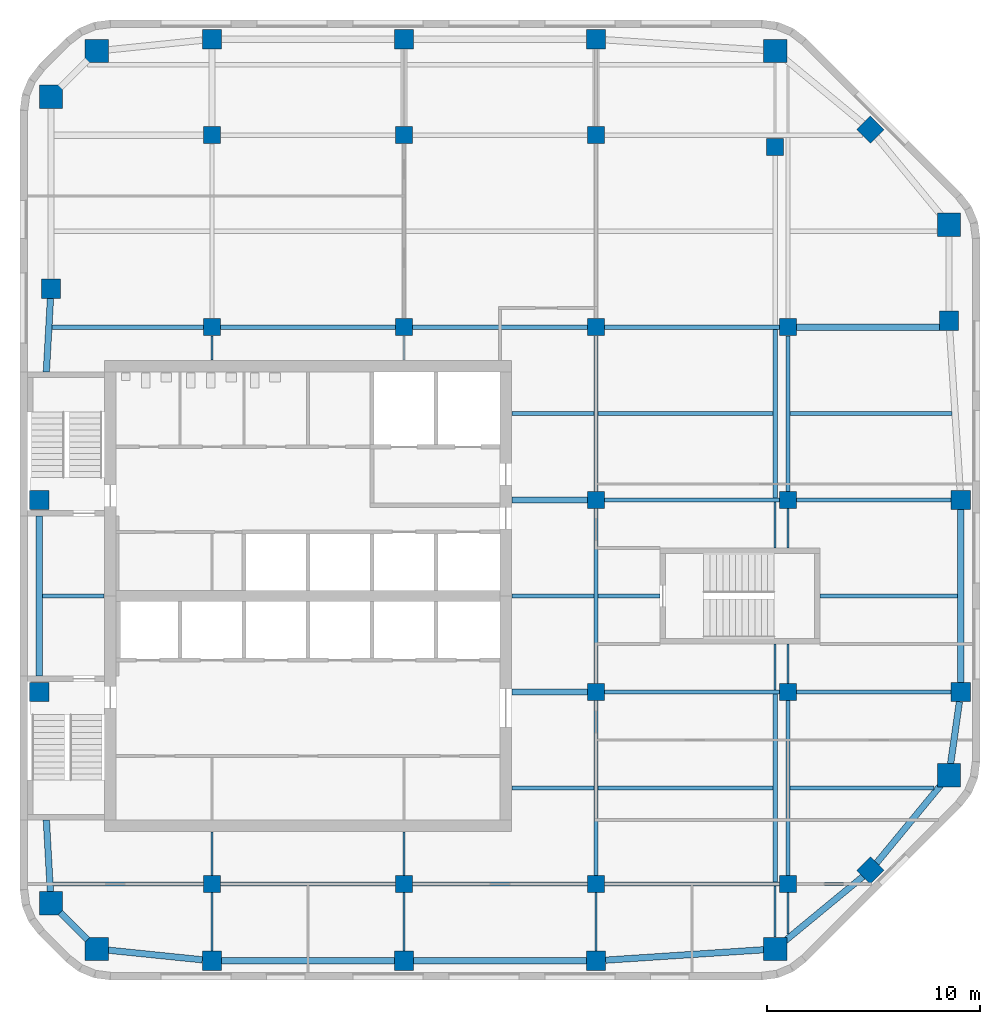
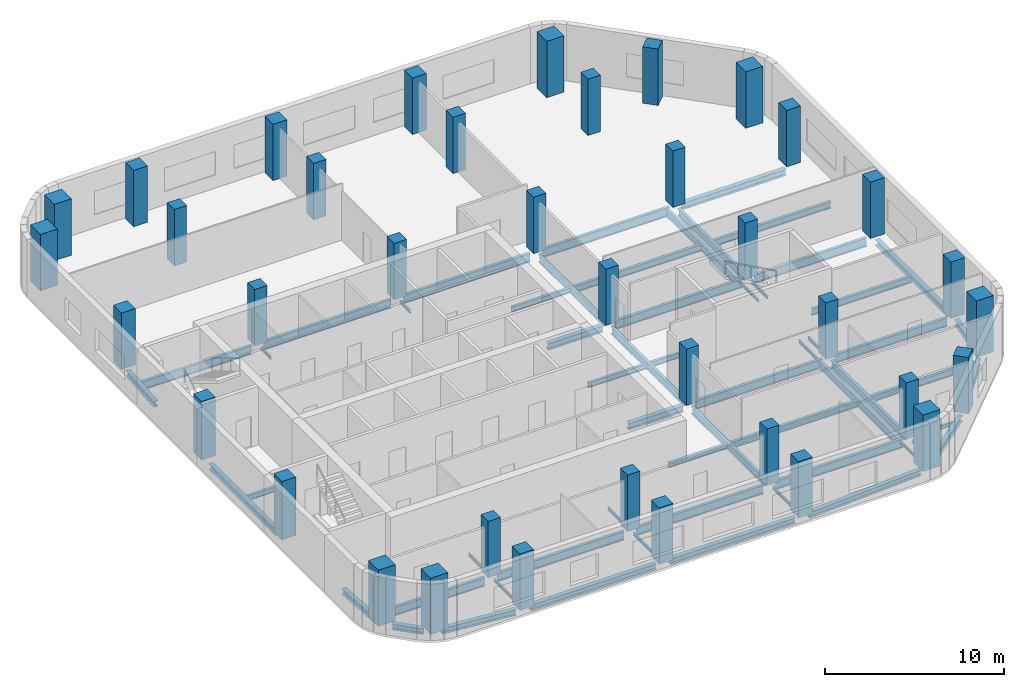
# One storey, part 1 of 7: 58 beams, 38 columns.
"""IFC4 building model written with IfcOpenShell, lengths in metres."""

from ifc_helpers import new_model, si_unit, direction, frame, origin, origin_2d, place, context, subcontext, project, spatial, rectangle, i_section, extrude, material, material_profile, profile_set, type_object, element, save


model = new_model("IFC4")

# Units and contexts
model_context = context("Model", 3, precision=1e-05, world=origin(), true_north=direction((0.0, 1.0)))
body_context = subcontext(model_context, "Body", "Model", "MODEL_VIEW")
ifc_project = project(units=[si_unit("LENGTHUNIT", "METRE"), si_unit("AREAUNIT", "SQUARE_METRE"), si_unit("VOLUMEUNIT", "CUBIC_METRE"), si_unit("PLANEANGLEUNIT", "RADIAN"), si_unit("MASSUNIT", "GRAM", prefix="KILO")], contexts=[model_context])

# Site, building, storey
site_placement = place(None, origin())
site = spatial("IfcSite", under=ifc_project, at=site_placement, CompositionType="ELEMENT")
building_placement = place(site_placement, origin())
building = spatial("IfcBuilding", under=site, at=building_placement, Name="Cinnabar Reach Civic Tower", CompositionType="ELEMENT")
storey_placement = place(building_placement, frame((0.0, 0.0, 214.0)))
storey = spatial("IfcBuildingStorey", under=building, at=storey_placement, Name="L51", CompositionType="ELEMENT", Elevation=214.0)

# Columns
ifc_material_1 = material(Name="Concrete C80", Category="concrete")
ifc_material_profile_1 = material_profile(ifc_material_1, rectangle(XDim=1.1, YDim=1.1, at=origin_2d()), Name="RC1100")
ifc_profile_set_1 = profile_set([ifc_material_profile_1], Name="Concrete C80")
column_type_1 = type_object("IfcColumnType", Name="RC1100 column R 240", PredefinedType="COLUMN", material=ifc_profile_set_1)
for number, where, z_axis, x_axis, name in (
    (1, (3.6019, 14.9531, 0.0), (0.0, 0.0, 1.0), (1.0, 0.0, 0.0), "Column T1-Z4-CC0"),
    (2, (35.3981, 14.9531, 0.0), (0.0, 0.0, 1.0), (1.0, 0.0, 0.0), "Column T1-Z4-CC1"),
    (3, (43.5469, 23.1019, 0.0), (0.0, 0.0, 1.0), (1.0, 0.0, 0.0), "Column T1-Z4-CC2"),
    (4, (43.5469, 48.8981, 0.0), (0.0, 0.0, 1.0), (1.0, 0.0, 0.0), "Column T1-Z4-CC3"),
    (5, (35.3981, 57.0469, 0.0), (0.0, 0.0, 1.0), (1.0, 0.0, 0.0), "Column T1-Z4-CC4"),
    (6, (3.6019, 57.0469, 0.0), (0.0, 0.0, 1.0), (1.0, 0.0, 0.0), "Column T1-Z4-CC5"),
    (7, (1.4531, 54.8981, 0.0), (0.0, 0.0, 1.0), (1.0, 0.0, 0.0), "Column T1-Z4-CC6"),
    (8, (1.4531, 17.1019, 0.0), (0.0, 0.0, 1.0), (1.0, 0.0, 0.0), "Column T1-Z4-CC7"),
):
    element("IfcColumn", number, at=place(storey_placement, frame(where, z_axis=z_axis, x_axis=x_axis)), inside=storey, type_object=column_type_1, Name=name, PredefinedType="COLUMN", context=body_context, shape_type="SweptSolid", body=[
        extrude(rectangle(XDim=1.1, YDim=1.1, at=origin_2d()), origin(), (0.0, 0.0, 1.0), 3.85),
    ])
ifc_material_2 = material(Name="Concrete C60", Category="concrete")
ifc_material_profile_2 = material_profile(ifc_material_2, rectangle(XDim=0.8, YDim=0.8, at=origin_2d()), Name="RC800")
ifc_profile_set_2 = profile_set([ifc_material_profile_2], Name="Concrete C60")
column_type_2 = type_object("IfcColumnType", Name="RC800 column R 240", PredefinedType="COLUMN", material=ifc_profile_set_2)
for number, where, z_axis, x_axis, name in (
    (9, (9.0, 18.0, 0.0), (0.0, 0.0, 1.0), (1.0, 0.0, 0.0), "Column T1-Z4-I9_18"),
    (10, (9.0, 44.1, 0.0), (0.0, 0.0, 1.0), (1.0, 0.0, 0.0), "Column T1-Z4-I9_45"),
    (11, (9.0, 53.1, 0.0), (0.0, 0.0, 1.0), (1.0, 0.0, 0.0), "Column T1-Z4-I9_54"),
    (12, (18.0, 18.0, 0.0), (0.0, 0.0, 1.0), (1.0, 0.0, 0.0), "Column T1-Z4-I18_18"),
    (13, (18.0, 44.1, 0.0), (0.0, 0.0, 1.0), (1.0, 0.0, 0.0), "Column T1-Z4-I18_45"),
    (14, (18.0, 53.1, 0.0), (0.0, 0.0, 1.0), (1.0, 0.0, 0.0), "Column T1-Z4-I18_54"),
    (15, (27.0, 18.0, 0.0), (0.0, 0.0, 1.0), (1.0, 0.0, 0.0), "Column T1-Z4-I27_18"),
    (16, (27.0, 27.0, 0.0), (0.0, 0.0, 1.0), (1.0, 0.0, 0.0), "Column T1-Z4-I27_27"),
    (17, (27.0, 36.0, 0.0), (0.0, 0.0, 1.0), (1.0, 0.0, 0.0), "Column T1-Z4-I27_36"),
    (18, (27.0, 44.1, 0.0), (0.0, 0.0, 1.0), (1.0, 0.0, 0.0), "Column T1-Z4-I27_45"),
    (19, (27.0, 53.1, 0.0), (0.0, 0.0, 1.0), (1.0, 0.0, 0.0), "Column T1-Z4-I27_54"),
    (20, (36.0, 18.0, 0.0), (0.0, 0.0, 1.0), (1.0, 0.0, 0.0), "Column T1-Z4-I36_18"),
    (21, (36.0, 27.0, 0.0), (0.0, 0.0, 1.0), (1.0, 0.0, 0.0), "Column T1-Z4-I36_27"),
    (22, (36.0, 36.0, 0.0), (0.0, 0.0, 1.0), (1.0, 0.0, 0.0), "Column T1-Z4-I36_36"),
    (23, (36.0, 44.1, 0.0), (0.0, 0.0, 1.0), (1.0, 0.0, 0.0), "Column T1-Z4-I36_45"),
    (24, (35.3981, 52.5469, 0.0), (0.0, 0.0, 1.0), (1.0, 0.0, 0.0), "Column T1-Z4-I36_54"),
):
    element("IfcColumn", number, at=place(storey_placement, frame(where, z_axis=z_axis, x_axis=x_axis)), inside=storey, type_object=column_type_2, Name=name, PredefinedType="COLUMN", context=body_context, shape_type="SweptSolid", body=[
        extrude(rectangle(XDim=0.8, YDim=0.8, at=origin_2d()), origin(), (0.0, 0.0, 1.0), 3.85),
    ])
ifc_material_3 = material(Name="Concrete C70", Category="concrete")
ifc_material_profile_3 = material_profile(ifc_material_3, rectangle(XDim=0.9, YDim=0.9, at=origin_2d()), Name="RC900")
ifc_profile_set_3 = profile_set([ifc_material_profile_3], Name="Concrete C70")
column_type_3 = type_object("IfcColumnType", Name="RC900 column R 240", PredefinedType="COLUMN", material=ifc_profile_set_3)
for number, where, z_axis, x_axis, name in (
    (25, (9.0, 14.4, 0.0), (0.0, 0.0, 1.0), (1.0, 0.0, 0.0), "Column T1-Z4-F0-1"),
    (26, (18.0, 14.4, 0.0), (0.0, 0.0, 1.0), (1.0, 0.0, 0.0), "Column T1-Z4-F0-2"),
    (27, (27.0, 14.4, 0.0), (0.0, 0.0, 1.0), (1.0, 0.0, 0.0), "Column T1-Z4-F0-3"),
    (28, (39.8636, 18.6364, 0.0), (0.0, 0.0, 1.0), (0.707106781187, 0.707106781187, 0.0), "Column T1-Z4-F1-M"),
    (29, (44.1, 27.0, 0.0), (0.0, 0.0, 1.0), (1.0, 0.0, 0.0), "Column T1-Z4-F2-3"),
    (30, (44.1, 36.0, 0.0), (0.0, 0.0, 1.0), (1.0, 0.0, 0.0), "Column T1-Z4-F2-4"),
    (31, (43.5469, 44.3981, 0.0), (0.0, 0.0, 1.0), (1.0, 0.0, 0.0), "Column T1-Z4-F2-5"),
    (32, (39.8636, 53.3636, 0.0), (0.0, 0.0, 1.0), (0.707106781187, 0.707106781187, 0.0), "Column T1-Z4-F3-M"),
    (33, (9.0, 57.6, 0.0), (0.0, 0.0, 1.0), (1.0, 0.0, 0.0), "Column T1-Z4-F4-1"),
    (34, (18.0, 57.6, 0.0), (0.0, 0.0, 1.0), (1.0, 0.0, 0.0), "Column T1-Z4-F4-2"),
    (35, (27.0, 57.6, 0.0), (0.0, 0.0, 1.0), (1.0, 0.0, 0.0), "Column T1-Z4-F4-3"),
):
    element("IfcColumn", number, at=place(storey_placement, frame(where, z_axis=z_axis, x_axis=x_axis)), inside=storey, type_object=column_type_3, Name=name, PredefinedType="COLUMN", context=body_context, shape_type="SweptSolid", body=[
        extrude(rectangle(XDim=0.9, YDim=0.9, at=origin_2d()), origin(), (0.0, 0.0, 1.0), 3.85),
    ])
for number, where, z_axis, x_axis, name in (
    (36, (0.9, 27.0, 0.0), (0.0, 0.0, 1.0), (1.0, 0.0, 0.0), "Column T1-Z4-F6-3"),
    (37, (0.9, 36.0, 0.0), (0.0, 0.0, 1.0), (1.0, 0.0, 0.0), "Column T1-Z4-F6-4"),
):
    element("IfcColumn", number, at=place(storey_placement, frame(where, z_axis=z_axis, x_axis=x_axis)), inside=storey, type_object=column_type_3, Name=name, PredefinedType="COLUMN", context=body_context, shape_type="SweptSolid", body=[
        extrude(rectangle(XDim=0.9, YDim=0.9, at=origin_2d()), origin(), (0.0, 0.0, 1.0), 4.0),
    ])
column_placement = place(storey_placement, frame((1.4531, 45.8981, 0.0), z_axis=(0.0, 0.0, 1.0), x_axis=(1.0, 0.0, 0.0)))
element("IfcColumn", 38, at=column_placement, inside=storey, type_object=column_type_3, Name="Column T1-Z4-F6-5", PredefinedType="COLUMN", context=body_context, shape_type="SweptSolid", body=[
    extrude(rectangle(XDim=0.9, YDim=0.9, at=origin_2d()), origin(), (0.0, 0.0, 1.0), 3.85),
])

# Beams
ifc_material_4 = material(Name="Steel Q355B", Category="steel")
ifc_material_profile_4 = material_profile(ifc_material_4, i_section(OverallWidth=0.3, OverallDepth=0.39, WebThickness=0.01, FlangeThickness=0.016, FilletRadius=0.013, at=origin_2d()), Name="HM390x300x10x16")
ifc_profile_set_4 = profile_set([ifc_material_profile_4], Name="Steel Q355B")
beam_type_1 = type_object("IfcBeamType", Name="HM390x300x10x16 beam R 180", PredefinedType="BEAM", material=ifc_profile_set_4)
beam_1_placement = place(storey_placement, frame((4.0339, 14.9088, -0.345), z_axis=(0.994792272495, -0.101923179821, 0.0), x_axis=(0.101923179821, 0.994792272495, 0.0)))
element("IfcBeam", 39, at=beam_1_placement, inside=storey, type_object=beam_type_1, Name="Edge beam T1 L51 1", PredefinedType="BEAM", context=body_context, shape_type="SweptSolid", body=[
    extrude(i_section(OverallWidth=0.3, OverallDepth=0.39, WebThickness=0.01, FlangeThickness=0.016, FilletRadius=0.013, at=origin_2d()), origin(), (0.0, 0.0, 1.0), 4.5377),
])
for number, where, z_axis, x_axis, name in (
    (40, (9.452, 14.4, -0.345), (1.0, 0.0, 0.0), (0.0, 1.0, 0.0), "Edge beam T1 L51 2"),
    (41, (18.452, 14.4, -0.345), (1.0, 0.0, 0.0), (0.0, 1.0, 0.0), "Edge beam T1 L51 3"),
):
    element("IfcBeam", number, at=place(storey_placement, frame(where, z_axis=z_axis, x_axis=x_axis)), inside=storey, type_object=beam_type_1, Name=name, PredefinedType="BEAM", context=body_context, shape_type="SweptSolid", body=[
        extrude(i_section(OverallWidth=0.3, OverallDepth=0.39, WebThickness=0.01, FlangeThickness=0.016, FilletRadius=0.013, at=origin_2d()), origin(), (0.0, 0.0, 1.0), 8.096),
    ])
beam_2_placement = place(storey_placement, frame((27.452, 14.4298, -0.345), z_axis=(0.99783894477, 0.065707231721, 0.0), x_axis=(-0.065707231721, 0.99783894477, 0.0)))
element("IfcBeam", 42, at=beam_2_placement, inside=storey, type_object=beam_type_1, Name="Edge beam T1 L51 4", PredefinedType="BEAM", context=body_context, shape_type="SweptSolid", body=[
    extrude(i_section(OverallWidth=0.3, OverallDepth=0.39, WebThickness=0.01, FlangeThickness=0.016, FilletRadius=0.013, at=origin_2d()), origin(), (0.0, 0.0, 1.0), 7.5304),
])
for number, where, z_axis, x_axis, name in (
    (43, (35.8301, 15.3094, -0.345), (0.771434448755, 0.63630880182, 0.0), (-0.63630880182, 0.771434448755, 0.0), "Edge beam T1 L51 5"),
    (44, (40.1142, 18.9402, -0.345), (0.63630880182, 0.771434448755, 0.0), (-0.771434448755, 0.63630880182, 0.0), "Edge beam T1 L51 6"),
):
    element("IfcBeam", number, at=place(storey_placement, frame(where, z_axis=z_axis, x_axis=x_axis)), inside=storey, type_object=beam_type_1, Name=name, PredefinedType="BEAM", context=body_context, shape_type="SweptSolid", body=[
        extrude(i_section(OverallWidth=0.3, OverallDepth=0.39, WebThickness=0.01, FlangeThickness=0.016, FilletRadius=0.013, at=origin_2d()), origin(), (0.0, 0.0, 1.0), 4.8348),
    ])
beam_3_placement = place(storey_placement, frame((43.6082, 23.5339, -0.345), z_axis=(0.140492342965, 0.990081765092, 0.0), x_axis=(-0.990081765092, 0.140492342965, 0.0)))
element("IfcBeam", 45, at=beam_3_placement, inside=storey, type_object=beam_type_1, Name="Edge beam T1 L51 7", PredefinedType="BEAM", context=body_context, shape_type="SweptSolid", body=[
    extrude(i_section(OverallWidth=0.3, OverallDepth=0.39, WebThickness=0.01, FlangeThickness=0.016, FilletRadius=0.013, at=origin_2d()), origin(), (0.0, 0.0, 1.0), 3.0443),
])
beam_4_placement = place(storey_placement, frame((44.1, 27.452, -0.345), z_axis=(0.0, 1.0, 0.0), x_axis=(-1.0, 0.0, 0.0)))
element("IfcBeam", 46, at=beam_4_placement, inside=storey, type_object=beam_type_1, Name="Edge beam T1 L51 8", PredefinedType="BEAM", context=body_context, shape_type="SweptSolid", body=[
    extrude(i_section(OverallWidth=0.3, OverallDepth=0.39, WebThickness=0.01, FlangeThickness=0.016, FilletRadius=0.013, at=origin_2d()), origin(), (0.0, 0.0, 1.0), 8.096),
])
beam_5_placement = place(storey_placement, frame((1.4278, 45.4461, -0.345), z_axis=(-0.0557766862, -0.998443268932, 0.0), x_axis=(0.998443268932, -0.0557766862, 0.0)))
element("IfcBeam", 47, at=beam_5_placement, inside=storey, type_object=beam_type_1, Name="Edge beam T1 L51 19", PredefinedType="BEAM", context=body_context, shape_type="SweptSolid", body=[
    extrude(i_section(OverallWidth=0.3, OverallDepth=0.39, WebThickness=0.01, FlangeThickness=0.016, FilletRadius=0.013, at=origin_2d()), origin(), (0.0, 0.0, 1.0), 3.4495),
])
beam_6_placement = place(storey_placement, frame((0.9, 35.248, -0.345), z_axis=(0.0, -1.0, 0.0), x_axis=(1.0, 0.0, 0.0)))
element("IfcBeam", 48, at=beam_6_placement, inside=storey, type_object=beam_type_1, Name="Edge beam T1 L51 20", PredefinedType="BEAM", context=body_context, shape_type="SweptSolid", body=[
    extrude(i_section(OverallWidth=0.3, OverallDepth=0.39, WebThickness=0.01, FlangeThickness=0.016, FilletRadius=0.013, at=origin_2d()), origin(), (0.0, 0.0, 1.0), 7.496),
])
beam_7_placement = place(storey_placement, frame((1.2354, 20.998, -0.345), z_axis=(0.05580045603, -0.998441940779, 0.0), x_axis=(0.998441940779, 0.05580045603, 0.0)))
element("IfcBeam", 49, at=beam_7_placement, inside=storey, type_object=beam_type_1, Name="Edge beam T1 L51 21", PredefinedType="BEAM", context=body_context, shape_type="SweptSolid", body=[
    extrude(i_section(OverallWidth=0.3, OverallDepth=0.39, WebThickness=0.01, FlangeThickness=0.016, FilletRadius=0.013, at=origin_2d()), origin(), (0.0, 0.0, 1.0), 3.4695),
])
beam_8_placement = place(storey_placement, frame((1.8851, 16.6699, -0.345), z_axis=(0.707106781187, -0.707106781187, 0.0), x_axis=(0.707106781187, 0.707106781187, 0.0)))
element("IfcBeam", 50, at=beam_8_placement, inside=storey, type_object=beam_type_1, Name="Edge beam T1 L51 22", PredefinedType="BEAM", context=body_context, shape_type="SweptSolid", body=[
    extrude(i_section(OverallWidth=0.3, OverallDepth=0.39, WebThickness=0.01, FlangeThickness=0.016, FilletRadius=0.013, at=origin_2d()), origin(), (0.0, 0.0, 1.0), 1.817),
])
ifc_material_profile_5 = material_profile(ifc_material_4, i_section(OverallWidth=0.3, OverallDepth=0.44, WebThickness=0.011, FlangeThickness=0.018, FilletRadius=0.016, at=origin_2d()), Name="HM440x300x11x18")
ifc_profile_set_5 = profile_set([ifc_material_profile_5], Name="Steel Q355B")
beam_type_2 = type_object("IfcBeamType", Name="HM440x300x11x18 beam R 180", PredefinedType="BEAM", material=ifc_profile_set_5)
for number, where, z_axis, x_axis, name in (
    (51, (23.052, 27.0, -0.37), (1.0, 0.0, 0.0), (0.0, 1.0, 0.0), "Girder T1 L51 6"),
    (52, (23.052, 36.0, -0.37), (1.0, 0.0, 0.0), (0.0, 1.0, 0.0), "Girder T1 L51 9"),
):
    element("IfcBeam", number, at=place(storey_placement, frame(where, z_axis=z_axis, x_axis=x_axis)), inside=storey, type_object=beam_type_2, Name=name, PredefinedType="BEAM", context=body_context, shape_type="SweptSolid", body=[
        extrude(i_section(OverallWidth=0.3, OverallDepth=0.44, WebThickness=0.011, FlangeThickness=0.018, FilletRadius=0.016, at=origin_2d()), origin(), (0.0, 0.0, 1.0), 3.546),
    ])
beam_9_placement = place(storey_placement, frame((36.402, 44.1, -0.37), z_axis=(1.0, 0.0, 0.0), x_axis=(0.0, 1.0, 0.0)))
element("IfcBeam", 53, at=beam_9_placement, inside=storey, type_object=beam_type_2, Name="Girder T1 L51 16", PredefinedType="BEAM", context=body_context, shape_type="SweptSolid", body=[
    extrude(i_section(OverallWidth=0.3, OverallDepth=0.44, WebThickness=0.011, FlangeThickness=0.018, FilletRadius=0.016, at=origin_2d()), origin(), (0.0, 0.0, 1.0), 6.6929),
])
ifc_material_profile_6 = material_profile(ifc_material_4, i_section(OverallWidth=0.099, OverallDepth=0.198, WebThickness=0.0045, FlangeThickness=0.007, FilletRadius=0.013, at=origin_2d()), Name="HN200x100x5.5x8")
ifc_profile_set_6 = profile_set([ifc_material_profile_6], Name="Steel Q355B")
beam_type_3 = type_object("IfcBeamType", Name="HN200x100x5.5x8 beam R 180", PredefinedType="BEAM", material=ifc_profile_set_6)
beam_10_placement = place(storey_placement, frame((9.0, 14.852, -0.249), z_axis=(0.0, 1.0, 0.0), x_axis=(-1.0, 0.0, 0.0)))
element("IfcBeam", 54, at=beam_10_placement, inside=storey, type_object=beam_type_3, Name="Girder T1 L51 1", PredefinedType="BEAM", context=body_context, shape_type="SweptSolid", body=[
    extrude(i_section(OverallWidth=0.099, OverallDepth=0.198, WebThickness=0.0045, FlangeThickness=0.007, FilletRadius=0.013, at=origin_2d()), origin(), (0.0, 0.0, 1.0), 2.746),
])
beam_11_placement = place(storey_placement, frame((9.0, 18.402, -0.249), z_axis=(0.0, 1.0, 0.0), x_axis=(-1.0, 0.0, 0.0)))
element("IfcBeam", 55, at=beam_11_placement, inside=storey, type_object=beam_type_3, Name="Girder T1 L51 2", PredefinedType="BEAM", context=body_context, shape_type="SweptSolid", body=[
    extrude(i_section(OverallWidth=0.099, OverallDepth=0.198, WebThickness=0.0045, FlangeThickness=0.007, FilletRadius=0.013, at=origin_2d()), origin(), (0.0, 0.0, 1.0), 2.046),
])
beam_12_placement = place(storey_placement, frame((9.0, 42.552, -0.249), z_axis=(0.0, 1.0, 0.0), x_axis=(-1.0, 0.0, 0.0)))
element("IfcBeam", 56, at=beam_12_placement, inside=storey, type_object=beam_type_3, Name="Girder T1 L51 3", PredefinedType="BEAM", context=body_context, shape_type="SweptSolid", body=[
    extrude(i_section(OverallWidth=0.099, OverallDepth=0.198, WebThickness=0.0045, FlangeThickness=0.007, FilletRadius=0.013, at=origin_2d()), origin(), (0.0, 0.0, 1.0), 1.146),
])
beam_13_placement = place(storey_placement, frame((18.0, 14.852, -0.249), z_axis=(0.0, 1.0, 0.0), x_axis=(-1.0, 0.0, 0.0)))
element("IfcBeam", 57, at=beam_13_placement, inside=storey, type_object=beam_type_3, Name="Girder T1 L51 6", PredefinedType="BEAM", context=body_context, shape_type="SweptSolid", body=[
    extrude(i_section(OverallWidth=0.099, OverallDepth=0.198, WebThickness=0.0045, FlangeThickness=0.007, FilletRadius=0.013, at=origin_2d()), origin(), (0.0, 0.0, 1.0), 2.746),
])
beam_14_placement = place(storey_placement, frame((18.0, 18.402, -0.249), z_axis=(0.0, 1.0, 0.0), x_axis=(-1.0, 0.0, 0.0)))
element("IfcBeam", 58, at=beam_14_placement, inside=storey, type_object=beam_type_3, Name="Girder T1 L51 7", PredefinedType="BEAM", context=body_context, shape_type="SweptSolid", body=[
    extrude(i_section(OverallWidth=0.099, OverallDepth=0.198, WebThickness=0.0045, FlangeThickness=0.007, FilletRadius=0.013, at=origin_2d()), origin(), (0.0, 0.0, 1.0), 2.046),
])
beam_15_placement = place(storey_placement, frame((18.0, 42.552, -0.249), z_axis=(0.0, 1.0, 0.0), x_axis=(-1.0, 0.0, 0.0)))
element("IfcBeam", 59, at=beam_15_placement, inside=storey, type_object=beam_type_3, Name="Girder T1 L51 8", PredefinedType="BEAM", context=body_context, shape_type="SweptSolid", body=[
    extrude(i_section(OverallWidth=0.099, OverallDepth=0.198, WebThickness=0.0045, FlangeThickness=0.007, FilletRadius=0.013, at=origin_2d()), origin(), (0.0, 0.0, 1.0), 1.146),
])
beam_16_placement = place(storey_placement, frame((27.0, 14.852, -0.249), z_axis=(0.0, 1.0, 0.0), x_axis=(-1.0, 0.0, 0.0)))
element("IfcBeam", 60, at=beam_16_placement, inside=storey, type_object=beam_type_3, Name="Girder T1 L51 11", PredefinedType="BEAM", context=body_context, shape_type="SweptSolid", body=[
    extrude(i_section(OverallWidth=0.099, OverallDepth=0.198, WebThickness=0.0045, FlangeThickness=0.007, FilletRadius=0.013, at=origin_2d()), origin(), (0.0, 0.0, 1.0), 2.746),
])
beam_17_placement = place(storey_placement, frame((35.3981, 15.5051, -0.249), z_axis=(0.0, 1.0, 0.0), x_axis=(-1.0, 0.0, 0.0)))
element("IfcBeam", 61, at=beam_17_placement, inside=storey, type_object=beam_type_3, Name="Girder T1 L51 17", PredefinedType="BEAM", context=body_context, shape_type="SweptSolid", body=[
    extrude(i_section(OverallWidth=0.099, OverallDepth=0.198, WebThickness=0.0045, FlangeThickness=0.007, FilletRadius=0.013, at=origin_2d()), origin(), (0.0, 0.0, 1.0), 2.3934),
])
for number, where, z_axis, x_axis, name in (
    (62, (35.3981, 27.1015, -0.249), (0.0, 1.0, 0.0), (-1.0, 0.0, 0.0), "Girder T1 L51 19"),
    (63, (35.3981, 33.752, -0.249), (0.0, 1.0, 0.0), (-1.0, 0.0, 0.0), "Girder T1 L51 20"),
):
    element("IfcBeam", number, at=place(storey_placement, frame(where, z_axis=z_axis, x_axis=x_axis)), inside=storey, type_object=beam_type_3, Name=name, PredefinedType="BEAM", context=body_context, shape_type="SweptSolid", body=[
        extrude(i_section(OverallWidth=0.099, OverallDepth=0.198, WebThickness=0.0045, FlangeThickness=0.007, FilletRadius=0.013, at=origin_2d()), origin(), (0.0, 0.0, 1.0), 2.1465),
    ])
beam_18_placement = place(storey_placement, frame((36.0, 15.6466, -0.249), z_axis=(0.0, 1.0, 0.0), x_axis=(-1.0, 0.0, 0.0)))
element("IfcBeam", 64, at=beam_18_placement, inside=storey, type_object=beam_type_3, Name="Girder T1 L51 24", PredefinedType="BEAM", context=body_context, shape_type="SweptSolid", body=[
    extrude(i_section(OverallWidth=0.099, OverallDepth=0.198, WebThickness=0.0045, FlangeThickness=0.007, FilletRadius=0.013, at=origin_2d()), origin(), (0.0, 0.0, 1.0), 1.9514),
])
for number, where, z_axis, x_axis, name in (
    (65, (36.0, 27.402, -0.249), (0.0, 1.0, 0.0), (-1.0, 0.0, 0.0), "Girder T1 L51 26"),
    (66, (36.0, 33.752, -0.249), (0.0, 1.0, 0.0), (-1.0, 0.0, 0.0), "Girder T1 L51 27"),
):
    element("IfcBeam", number, at=place(storey_placement, frame(where, z_axis=z_axis, x_axis=x_axis)), inside=storey, type_object=beam_type_3, Name=name, PredefinedType="BEAM", context=body_context, shape_type="SweptSolid", body=[
        extrude(i_section(OverallWidth=0.099, OverallDepth=0.198, WebThickness=0.0045, FlangeThickness=0.007, FilletRadius=0.013, at=origin_2d()), origin(), (0.0, 0.0, 1.0), 1.846),
    ])
ifc_material_profile_7 = material_profile(ifc_material_4, i_section(OverallWidth=0.124, OverallDepth=0.248, WebThickness=0.005, FlangeThickness=0.008, FilletRadius=0.013, at=origin_2d()), Name="HN250x125x6x9")
ifc_profile_set_7 = profile_set([ifc_material_profile_7], Name="Steel Q355B")
beam_type_4 = type_object("IfcBeamType", Name="HN250x125x6x9 beam R 180", PredefinedType="BEAM", material=ifc_profile_set_7)
beam_19_placement = place(storey_placement, frame((36.402, 18.0, -0.274), z_axis=(1.0, 0.0, 0.0), x_axis=(0.0, 1.0, 0.0)))
element("IfcBeam", 67, at=beam_19_placement, inside=storey, type_object=beam_type_4, Name="Girder T1 L51 5", PredefinedType="BEAM", context=body_context, shape_type="SweptSolid", body=[
    extrude(i_section(OverallWidth=0.124, OverallDepth=0.248, WebThickness=0.005, FlangeThickness=0.008, FilletRadius=0.013, at=origin_2d()), origin(), (0.0, 0.0, 1.0), 2.4512),
])
ifc_material_profile_8 = material_profile(ifc_material_4, i_section(OverallWidth=0.174, OverallDepth=0.346, WebThickness=0.006, FlangeThickness=0.009, FilletRadius=0.013, at=origin_2d()), Name="HN346x174x6x9")
ifc_profile_set_8 = profile_set([ifc_material_profile_8], Name="Steel Q355B")
beam_type_5 = type_object("IfcBeamType", Name="HN346x174x6x9 beam R 180", PredefinedType="BEAM", material=ifc_profile_set_8)
beam_20_placement = place(storey_placement, frame((23.052, 22.5, -0.323), z_axis=(1.0, 0.0, 0.0), x_axis=(0.0, 1.0, 0.0)))
element("IfcBeam", 68, at=beam_20_placement, inside=storey, type_object=beam_type_5, Name="Secondary beam T1 L51 1", PredefinedType="BEAM", context=body_context, shape_type="SweptSolid", body=[
    extrude(i_section(OverallWidth=0.174, OverallDepth=0.346, WebThickness=0.006, FlangeThickness=0.009, FilletRadius=0.013, at=origin_2d()), origin(), (0.0, 0.0, 1.0), 3.846),
])
beam_21_placement = place(storey_placement, frame((1.052, 31.5, -0.323), z_axis=(1.0, 0.0, 0.0), x_axis=(0.0, 1.0, 0.0)))
element("IfcBeam", 69, at=beam_21_placement, inside=storey, type_object=beam_type_5, Name="Secondary beam T1 L51 4", PredefinedType="BEAM", context=body_context, shape_type="SweptSolid", body=[
    extrude(i_section(OverallWidth=0.174, OverallDepth=0.346, WebThickness=0.006, FlangeThickness=0.009, FilletRadius=0.013, at=origin_2d()), origin(), (0.0, 0.0, 1.0), 2.896),
])
beam_22_placement = place(storey_placement, frame((23.052, 31.5, -0.323), z_axis=(1.0, 0.0, 0.0), x_axis=(0.0, 1.0, 0.0)))
element("IfcBeam", 70, at=beam_22_placement, inside=storey, type_object=beam_type_5, Name="Secondary beam T1 L51 5", PredefinedType="BEAM", context=body_context, shape_type="SweptSolid", body=[
    extrude(i_section(OverallWidth=0.174, OverallDepth=0.346, WebThickness=0.006, FlangeThickness=0.009, FilletRadius=0.013, at=origin_2d()), origin(), (0.0, 0.0, 1.0), 3.846),
])
beam_23_placement = place(storey_placement, frame((27.102, 31.5, -0.323), z_axis=(1.0, 0.0, 0.0), x_axis=(0.0, 1.0, 0.0)))
element("IfcBeam", 71, at=beam_23_placement, inside=storey, type_object=beam_type_5, Name="Secondary beam T1 L51 6", PredefinedType="BEAM", context=body_context, shape_type="SweptSolid", body=[
    extrude(i_section(OverallWidth=0.174, OverallDepth=0.346, WebThickness=0.006, FlangeThickness=0.009, FilletRadius=0.013, at=origin_2d()), origin(), (0.0, 0.0, 1.0), 2.896),
])
beam_24_placement = place(storey_placement, frame((23.052, 40.05, -0.323), z_axis=(1.0, 0.0, 0.0), x_axis=(0.0, 1.0, 0.0)))
element("IfcBeam", 72, at=beam_24_placement, inside=storey, type_object=beam_type_5, Name="Secondary beam T1 L51 8", PredefinedType="BEAM", context=body_context, shape_type="SweptSolid", body=[
    extrude(i_section(OverallWidth=0.174, OverallDepth=0.346, WebThickness=0.006, FlangeThickness=0.009, FilletRadius=0.013, at=origin_2d()), origin(), (0.0, 0.0, 1.0), 3.846),
])
ifc_material_profile_9 = material_profile(ifc_material_4, i_section(OverallWidth=0.199, OverallDepth=0.446, WebThickness=0.008, FlangeThickness=0.012, FilletRadius=0.016, at=origin_2d()), Name="HN446x199x8x12")
ifc_profile_set_9 = profile_set([ifc_material_profile_9], Name="Steel Q355B")
beam_type_6 = type_object("IfcBeamType", Name="HN446x199x8x12 beam R 180", PredefinedType="BEAM", material=ifc_profile_set_9)
beam_25_placement = place(storey_placement, frame((27.102, 22.5, -0.373), z_axis=(1.0, 0.0, 0.0), x_axis=(0.0, 1.0, 0.0)))
element("IfcBeam", 73, at=beam_25_placement, inside=storey, type_object=beam_type_6, Name="Secondary beam T1 L51 2", PredefinedType="BEAM", context=body_context, shape_type="SweptSolid", body=[
    extrude(i_section(OverallWidth=0.199, OverallDepth=0.446, WebThickness=0.008, FlangeThickness=0.012, FilletRadius=0.016, at=origin_2d()), origin(), (0.0, 0.0, 1.0), 8.1941),
])
beam_26_placement = place(storey_placement, frame((36.102, 22.5, -0.373), z_axis=(1.0, 0.0, 0.0), x_axis=(0.0, 1.0, 0.0)))
element("IfcBeam", 74, at=beam_26_placement, inside=storey, type_object=beam_type_6, Name="Secondary beam T1 L51 3", PredefinedType="BEAM", context=body_context, shape_type="SweptSolid", body=[
    extrude(i_section(OverallWidth=0.199, OverallDepth=0.446, WebThickness=0.008, FlangeThickness=0.012, FilletRadius=0.016, at=origin_2d()), origin(), (0.0, 0.0, 1.0), 6.7514),
])
beam_27_placement = place(storey_placement, frame((37.502, 31.5, -0.373), z_axis=(1.0, 0.0, 0.0), x_axis=(0.0, 1.0, 0.0)))
element("IfcBeam", 75, at=beam_27_placement, inside=storey, type_object=beam_type_6, Name="Secondary beam T1 L51 7", PredefinedType="BEAM", context=body_context, shape_type="SweptSolid", body=[
    extrude(i_section(OverallWidth=0.199, OverallDepth=0.446, WebThickness=0.008, FlangeThickness=0.012, FilletRadius=0.016, at=origin_2d()), origin(), (0.0, 0.0, 1.0), 6.446),
])
beam_28_placement = place(storey_placement, frame((27.102, 40.05, -0.373), z_axis=(1.0, 0.0, 0.0), x_axis=(0.0, 1.0, 0.0)))
element("IfcBeam", 76, at=beam_28_placement, inside=storey, type_object=beam_type_6, Name="Secondary beam T1 L51 9", PredefinedType="BEAM", context=body_context, shape_type="SweptSolid", body=[
    extrude(i_section(OverallWidth=0.199, OverallDepth=0.446, WebThickness=0.008, FlangeThickness=0.012, FilletRadius=0.016, at=origin_2d()), origin(), (0.0, 0.0, 1.0), 8.1941),
])
beam_29_placement = place(storey_placement, frame((36.102, 40.05, -0.373), z_axis=(1.0, 0.0, 0.0), x_axis=(0.0, 1.0, 0.0)))
element("IfcBeam", 77, at=beam_29_placement, inside=storey, type_object=beam_type_6, Name="Secondary beam T1 L51 10", PredefinedType="BEAM", context=body_context, shape_type="SweptSolid", body=[
    extrude(i_section(OverallWidth=0.199, OverallDepth=0.446, WebThickness=0.008, FlangeThickness=0.012, FilletRadius=0.016, at=origin_2d()), origin(), (0.0, 0.0, 1.0), 7.5789),
])
ifc_material_profile_10 = material_profile(ifc_material_4, i_section(OverallWidth=0.2, OverallDepth=0.5, WebThickness=0.01, FlangeThickness=0.016, FilletRadius=0.016, at=origin_2d()), Name="HN500x200x10x16")
ifc_profile_set_10 = profile_set([ifc_material_profile_10], Name="Steel Q355B")
beam_type_7 = type_object("IfcBeamType", Name="HN500x200x10x16 beam R 180", PredefinedType="BEAM", material=ifc_profile_set_10)
for number, where, z_axis, x_axis, name in (
    (78, (27.0, 18.402, -0.4), (0.0, 1.0, 0.0), (-1.0, 0.0, 0.0), "Girder T1 L51 12"),
    (79, (27.0, 27.402, -0.4), (0.0, 1.0, 0.0), (-1.0, 0.0, 0.0), "Girder T1 L51 13"),
):
    element("IfcBeam", number, at=place(storey_placement, frame(where, z_axis=z_axis, x_axis=x_axis)), inside=storey, type_object=beam_type_7, Name=name, PredefinedType="BEAM", context=body_context, shape_type="SweptSolid", body=[
        extrude(i_section(OverallWidth=0.2, OverallDepth=0.5, WebThickness=0.01, FlangeThickness=0.016, FilletRadius=0.016, at=origin_2d()), origin(), (0.0, 0.0, 1.0), 8.196),
    ])
beam_30_placement = place(storey_placement, frame((27.0, 36.402, -0.4), z_axis=(0.0, 1.0, 0.0), x_axis=(-1.0, 0.0, 0.0)))
element("IfcBeam", 80, at=beam_30_placement, inside=storey, type_object=beam_type_7, Name="Girder T1 L51 14", PredefinedType="BEAM", context=body_context, shape_type="SweptSolid", body=[
    extrude(i_section(OverallWidth=0.2, OverallDepth=0.5, WebThickness=0.01, FlangeThickness=0.016, FilletRadius=0.016, at=origin_2d()), origin(), (0.0, 0.0, 1.0), 7.296),
])
beam_31_placement = place(storey_placement, frame((35.3981, 18.1015, -0.4), z_axis=(0.0, 1.0, 0.0), x_axis=(-1.0, 0.0, 0.0)))
element("IfcBeam", 81, at=beam_31_placement, inside=storey, type_object=beam_type_7, Name="Girder T1 L51 18", PredefinedType="BEAM", context=body_context, shape_type="SweptSolid", body=[
    extrude(i_section(OverallWidth=0.2, OverallDepth=0.5, WebThickness=0.01, FlangeThickness=0.016, FilletRadius=0.016, at=origin_2d()), origin(), (0.0, 0.0, 1.0), 8.797),
])
beam_32_placement = place(storey_placement, frame((35.3981, 36.1015, -0.4), z_axis=(0.0, 1.0, 0.0), x_axis=(-1.0, 0.0, 0.0)))
element("IfcBeam", 82, at=beam_32_placement, inside=storey, type_object=beam_type_7, Name="Girder T1 L51 21", PredefinedType="BEAM", context=body_context, shape_type="SweptSolid", body=[
    extrude(i_section(OverallWidth=0.2, OverallDepth=0.5, WebThickness=0.01, FlangeThickness=0.016, FilletRadius=0.016, at=origin_2d()), origin(), (0.0, 0.0, 1.0), 7.897),
])
beam_33_placement = place(storey_placement, frame((36.0, 18.402, -0.4), z_axis=(0.0, 1.0, 0.0), x_axis=(-1.0, 0.0, 0.0)))
element("IfcBeam", 83, at=beam_33_placement, inside=storey, type_object=beam_type_7, Name="Girder T1 L51 25", PredefinedType="BEAM", context=body_context, shape_type="SweptSolid", body=[
    extrude(i_section(OverallWidth=0.2, OverallDepth=0.5, WebThickness=0.01, FlangeThickness=0.016, FilletRadius=0.016, at=origin_2d()), origin(), (0.0, 0.0, 1.0), 8.196),
])
beam_34_placement = place(storey_placement, frame((36.0, 36.402, -0.4), z_axis=(0.0, 1.0, 0.0), x_axis=(-1.0, 0.0, 0.0)))
element("IfcBeam", 84, at=beam_34_placement, inside=storey, type_object=beam_type_7, Name="Girder T1 L51 28", PredefinedType="BEAM", context=body_context, shape_type="SweptSolid", body=[
    extrude(i_section(OverallWidth=0.2, OverallDepth=0.5, WebThickness=0.01, FlangeThickness=0.016, FilletRadius=0.016, at=origin_2d()), origin(), (0.0, 0.0, 1.0), 7.296),
])
ifc_material_profile_11 = material_profile(ifc_material_4, i_section(OverallWidth=0.199, OverallDepth=0.596, WebThickness=0.01, FlangeThickness=0.015, FilletRadius=0.016, at=origin_2d()), Name="HN596x199x10x15")
ifc_profile_set_11 = profile_set([ifc_material_profile_11], Name="Steel Q355B")
beam_type_8 = type_object("IfcBeamType", Name="HN596x199x10x15 beam R 180", PredefinedType="BEAM", material=ifc_profile_set_11)
beam_35_placement = place(storey_placement, frame((1.5552, 18.0, -0.448), z_axis=(1.0, 0.0, 0.0), x_axis=(0.0, 1.0, 0.0)))
element("IfcBeam", 85, at=beam_35_placement, inside=storey, type_object=beam_type_8, Name="Girder T1 L51 1", PredefinedType="BEAM", context=body_context, shape_type="SweptSolid", body=[
    extrude(i_section(OverallWidth=0.199, OverallDepth=0.596, WebThickness=0.01, FlangeThickness=0.015, FilletRadius=0.016, at=origin_2d()), origin(), (0.0, 0.0, 1.0), 7.0428),
])
for number, where, z_axis, x_axis, name in (
    (86, (9.402, 18.0, -0.448), (1.0, 0.0, 0.0), (0.0, 1.0, 0.0), "Girder T1 L51 2"),
    (87, (18.402, 18.0, -0.448), (1.0, 0.0, 0.0), (0.0, 1.0, 0.0), "Girder T1 L51 3"),
    (88, (27.402, 18.0, -0.448), (1.0, 0.0, 0.0), (0.0, 1.0, 0.0), "Girder T1 L51 4"),
    (89, (27.402, 27.0, -0.448), (1.0, 0.0, 0.0), (0.0, 1.0, 0.0), "Girder T1 L51 7"),
):
    element("IfcBeam", number, at=place(storey_placement, frame(where, z_axis=z_axis, x_axis=x_axis)), inside=storey, type_object=beam_type_8, Name=name, PredefinedType="BEAM", context=body_context, shape_type="SweptSolid", body=[
        extrude(i_section(OverallWidth=0.199, OverallDepth=0.596, WebThickness=0.01, FlangeThickness=0.015, FilletRadius=0.016, at=origin_2d()), origin(), (0.0, 0.0, 1.0), 8.196),
    ])
beam_36_placement = place(storey_placement, frame((36.402, 27.0, -0.448), z_axis=(1.0, 0.0, 0.0), x_axis=(0.0, 1.0, 0.0)))
element("IfcBeam", 90, at=beam_36_placement, inside=storey, type_object=beam_type_8, Name="Girder T1 L51 8", PredefinedType="BEAM", context=body_context, shape_type="SweptSolid", body=[
    extrude(i_section(OverallWidth=0.199, OverallDepth=0.596, WebThickness=0.01, FlangeThickness=0.015, FilletRadius=0.016, at=origin_2d()), origin(), (0.0, 0.0, 1.0), 7.246),
])
beam_37_placement = place(storey_placement, frame((27.402, 36.0, -0.448), z_axis=(1.0, 0.0, 0.0), x_axis=(0.0, 1.0, 0.0)))
element("IfcBeam", 91, at=beam_37_placement, inside=storey, type_object=beam_type_8, Name="Girder T1 L51 10", PredefinedType="BEAM", context=body_context, shape_type="SweptSolid", body=[
    extrude(i_section(OverallWidth=0.199, OverallDepth=0.596, WebThickness=0.01, FlangeThickness=0.015, FilletRadius=0.016, at=origin_2d()), origin(), (0.0, 0.0, 1.0), 8.196),
])
beam_38_placement = place(storey_placement, frame((36.402, 36.0, -0.448), z_axis=(1.0, 0.0, 0.0), x_axis=(0.0, 1.0, 0.0)))
element("IfcBeam", 92, at=beam_38_placement, inside=storey, type_object=beam_type_8, Name="Girder T1 L51 11", PredefinedType="BEAM", context=body_context, shape_type="SweptSolid", body=[
    extrude(i_section(OverallWidth=0.199, OverallDepth=0.596, WebThickness=0.01, FlangeThickness=0.015, FilletRadius=0.016, at=origin_2d()), origin(), (0.0, 0.0, 1.0), 7.246),
])
beam_39_placement = place(storey_placement, frame((1.5049, 44.1, -0.448), z_axis=(1.0, 0.0, 0.0), x_axis=(0.0, 1.0, 0.0)))
element("IfcBeam", 93, at=beam_39_placement, inside=storey, type_object=beam_type_8, Name="Girder T1 L51 12", PredefinedType="BEAM", context=body_context, shape_type="SweptSolid", body=[
    extrude(i_section(OverallWidth=0.199, OverallDepth=0.596, WebThickness=0.01, FlangeThickness=0.015, FilletRadius=0.016, at=origin_2d()), origin(), (0.0, 0.0, 1.0), 7.0931),
])
for number, where, z_axis, x_axis, name in (
    (94, (9.402, 44.1, -0.448), (1.0, 0.0, 0.0), (0.0, 1.0, 0.0), "Girder T1 L51 13"),
    (95, (18.402, 44.1, -0.448), (1.0, 0.0, 0.0), (0.0, 1.0, 0.0), "Girder T1 L51 14"),
    (96, (27.402, 44.1, -0.448), (1.0, 0.0, 0.0), (0.0, 1.0, 0.0), "Girder T1 L51 15"),
):
    element("IfcBeam", number, at=place(storey_placement, frame(where, z_axis=z_axis, x_axis=x_axis)), inside=storey, type_object=beam_type_8, Name=name, PredefinedType="BEAM", context=body_context, shape_type="SweptSolid", body=[
        extrude(i_section(OverallWidth=0.199, OverallDepth=0.596, WebThickness=0.01, FlangeThickness=0.015, FilletRadius=0.016, at=origin_2d()), origin(), (0.0, 0.0, 1.0), 8.196),
    ])

save(model, "model.ifc")
